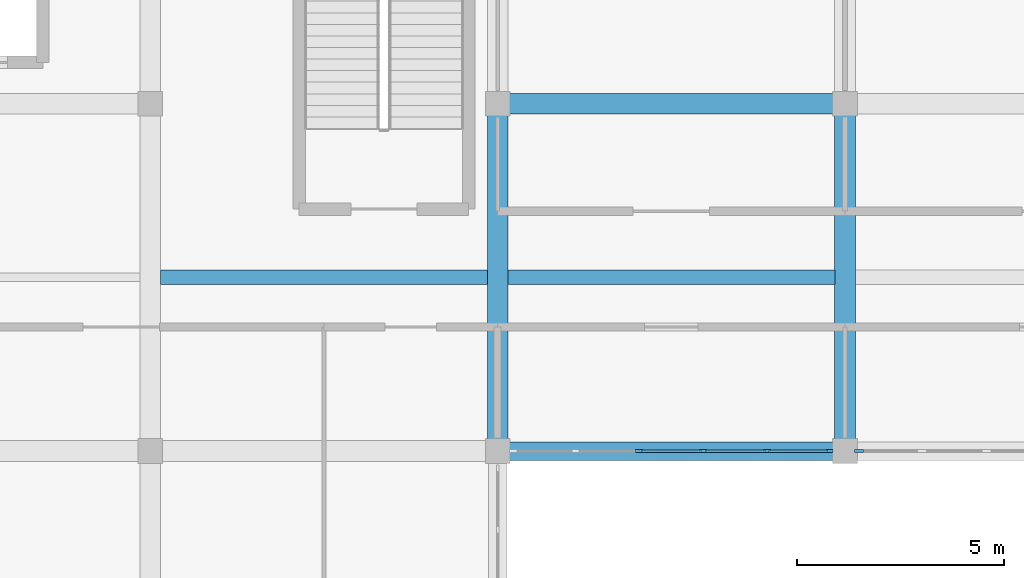
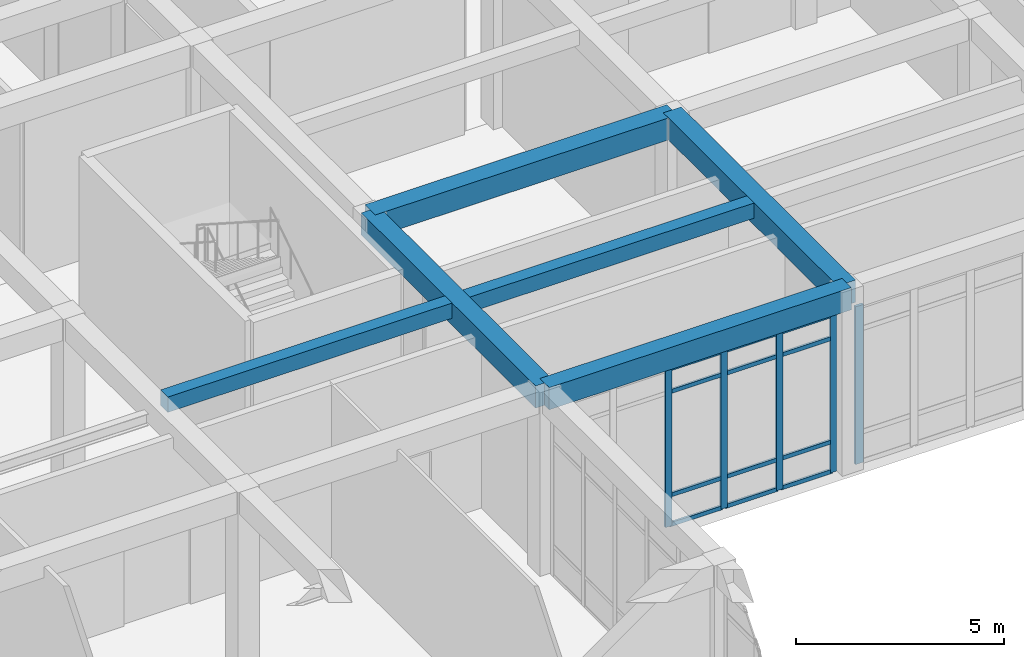
# One storey, part 26 of 89: 17 members, 6 beams, 2 elements without a shape of their own.
"""IFC4 building model written with IfcOpenShell, lengths in metres."""

from ifc_helpers import new_model, si_unit, direction, frame, origin, origin_2d, place, context, subcontext, project, spatial, rectangle, extrude, material, material_profile, profile_set, type_object, element, aggregate, save


model = new_model("IFC4")

# Units and contexts
model_context = context("Model", 3, precision=1e-05, world=origin(), true_north=direction((0.0, 1.0)))
body_context = subcontext(model_context, "Body", "Model", "MODEL_VIEW")
ifc_project = project(units=[si_unit("LENGTHUNIT", "METRE"), si_unit("AREAUNIT", "SQUARE_METRE"), si_unit("VOLUMEUNIT", "CUBIC_METRE"), si_unit("PLANEANGLEUNIT", "RADIAN"), si_unit("MASSUNIT", "GRAM", prefix="KILO")], contexts=[model_context])

# Site, building, storey
site_placement = place(None, origin())
site = spatial("IfcSite", under=ifc_project, at=site_placement, CompositionType="ELEMENT")
building_placement = place(site_placement, origin())
building = spatial("IfcBuilding", under=site, at=building_placement, Name="Varncliffe General Hospital", CompositionType="ELEMENT")
storey_placement = place(building_placement, frame((0.0, 0.0, 10.800048828125)))
storey = spatial("IfcBuildingStorey", under=building, at=storey_placement, Name="L02", CompositionType="ELEMENT", Elevation=10.800048828125)

# Beams
ifc_material_1 = material(Name="Concrete C35/45 (CSA A23.1 35 MPa)", Category="concrete")
ifc_material_profile_1 = material_profile(ifc_material_1, rectangle(XDim=0.5, YDim=0.64990234375, at=origin_2d()), Name="RC 500x650")
ifc_profile_set_1 = profile_set([ifc_material_profile_1], Name="Concrete C35/45 (CSA A23.1 35 MPa)")
beam_type_1 = type_object("IfcBeamType", Name="Beam B29 (Int RC 500x650)", PredefinedType="BEAM", material=ifc_profile_set_1)
for number, where, z_axis, x_axis, name in (
    (1, (117.60009765625, 91.199951171875, 5.074951171875), (1.0, 0.0, 0.0), (0.0, 1.0, 0.0), "L02 Primary Beam B29-125"),
    (2, (117.60009765625, 82.800048828125, 5.074951171875), (0.0, 1.0, 0.0), (-1.0, 0.0, 0.0), "L02 Primary Beam B29-395"),
    (3, (126.0, 82.800048828125, 5.074951171875), (0.0, 1.0, 0.0), (-1.0, 0.0, 0.0), "L02 Primary Beam B29-404"),
):
    element("IfcBeam", number, at=place(storey_placement, frame(where, z_axis=z_axis, x_axis=x_axis)), inside=storey, type_object=beam_type_1, Name=name, PredefinedType="BEAM", context=body_context, shape_type="SweptSolid", body=[
        extrude(rectangle(XDim=0.5, YDim=0.64990234375, at=origin_2d()), origin(), (0.0, 0.0, 1.0), 8.39990234375),
    ])

# Curtain wall, members
ifc_material_2 = material(Name="Triple low-E argon insulated vision glazing", Category="glass")
curtain_wall_type_1 = type_object("IfcCurtainWallType", Name="Unitised Glazed Curtain Wall CW70 (7724x4640)", PredefinedType="USERDEFINED", material=ifc_material_2)
curtain_wall_1_placement = place(storey_placement, origin())
curtain_wall_1 = element("IfcCurtainWall", 4, at=curtain_wall_1_placement, inside=storey, type_object=curtain_wall_type_1, Name="L02 Glazed Curtain Wall CW70-130", ObjectType="GLAZED CURTAIN WALL", PredefinedType="USERDEFINED")
ifc_material_3 = material(Name="Dark bronze thermally broken aluminium framing", Category="aluminium")
ifc_material_profile_2 = material_profile(ifc_material_3, rectangle(XDim=0.074951171875, YDim=0.179931640625, at=origin_2d()), Name="ALU 75x180")
ifc_profile_set_2 = profile_set([ifc_material_profile_2], Name="Dark bronze thermally broken aluminium framing")
member_type_1 = type_object("IfcMemberType", Name="Curtain Wall Mullion CM44 (ALU 75x180)", PredefinedType="MULLION", material=ifc_profile_set_2)
member_1_placement = place(storey_placement, frame((125.62451171875, 82.800048828125, 0.0), z_axis=(0.0, 0.0, 1.0), x_axis=(0.0, -1.0, 0.0)))
member_1 = element("IfcMember", 5, at=member_1_placement, type_object=member_type_1, Name="CW70 mullion 1", PredefinedType="MULLION", context=body_context, shape_type="SweptSolid", body=[
    extrude(rectangle(XDim=0.074951171875, YDim=0.179931640625, at=origin_2d()), origin(), (0.0, 0.0, 1.0), 4.639892578125),
])
member_2_placement = place(storey_placement, frame((124.1171875, 82.800048828125, 0.0), z_axis=(0.0, 0.0, 1.0), x_axis=(0.0, -1.0, 0.0)))
member_2 = element("IfcMember", 6, at=member_2_placement, type_object=member_type_1, Name="CW70 mullion 2", PredefinedType="MULLION", context=body_context, shape_type="SweptSolid", body=[
    extrude(rectangle(XDim=0.074951171875, YDim=0.179931640625, at=origin_2d()), origin(), (0.0, 0.0, 1.0), 4.639892578125),
])
member_3_placement = place(storey_placement, frame((122.572509765625, 82.800048828125, 0.0), z_axis=(0.0, 0.0, 1.0), x_axis=(0.0, -1.0, 0.0)))
member_3 = element("IfcMember", 7, at=member_3_placement, type_object=member_type_1, Name="CW70 mullion 3", PredefinedType="MULLION", context=body_context, shape_type="SweptSolid", body=[
    extrude(rectangle(XDim=0.074951171875, YDim=0.179931640625, at=origin_2d()), origin(), (0.0, 0.0, 1.0), 4.639892578125),
])
member_4_placement = place(storey_placement, frame((121.027587890625, 82.800048828125, 0.0), z_axis=(0.0, 0.0, 1.0), x_axis=(0.0, -1.0, 0.0)))
member_4 = element("IfcMember", 8, at=member_4_placement, type_object=member_type_1, Name="CW70 mullion 4", PredefinedType="MULLION", context=body_context, shape_type="SweptSolid", body=[
    extrude(rectangle(XDim=0.074951171875, YDim=0.179931640625, at=origin_2d()), origin(), (0.0, 0.0, 1.0), 4.639892578125),
])

# Curtain wall, member
curtain_wall_type_2 = type_object("IfcCurtainWallType", Name="Unitised Glazed Curtain Wall CW85 (7804x4640)", PredefinedType="USERDEFINED", material=ifc_material_2)
curtain_wall_2_placement = place(storey_placement, origin())
curtain_wall_2 = element("IfcCurtainWall", 9, at=curtain_wall_2_placement, inside=storey, type_object=curtain_wall_type_2, Name="L02 Glazed Curtain Wall CW85-129", ObjectType="GLAZED CURTAIN WALL", PredefinedType="USERDEFINED")
ifc_material_profile_3 = material_profile(ifc_material_3, rectangle(XDim=0.074951171875, YDim=0.219970703125, at=origin_2d()), Name="ALU 75x220")
ifc_profile_set_3 = profile_set([ifc_material_profile_3], Name="Dark bronze thermally broken aluminium framing")
member_type_2 = type_object("IfcMemberType", Name="Curtain Wall Mullion CM74 (ALU 75x220)", PredefinedType="MULLION", material=ifc_profile_set_3)
member_5_placement = place(storey_placement, frame((126.33544921875, 82.800048828125, 0.0), z_axis=(0.0, 0.0, 1.0), x_axis=(0.0, -1.0, 0.0)))
member_5 = element("IfcMember", 10, at=member_5_placement, type_object=member_type_2, Name="CW85 mullion 6", PredefinedType="MULLION", context=body_context, shape_type="SweptSolid", body=[
    extrude(rectangle(XDim=0.074951171875, YDim=0.219970703125, at=origin_2d()), origin(), (0.0, 0.0, 1.0), 4.639892578125),
])
aggregate(curtain_wall_2, [member_5])

# Member
ifc_material_profile_4 = material_profile(ifc_material_3, rectangle(XDim=0.06005859375, YDim=0.1201171875, at=origin_2d()), Name="ALU 60x120")
ifc_profile_set_4 = profile_set([ifc_material_profile_4], Name="Dark bronze thermally broken aluminium framing")
member_type_3 = type_object("IfcMemberType", Name="Curtain Wall Transom CT14 (ALU 60x120)", PredefinedType="USERDEFINED", material=ifc_profile_set_4)
member_6_placement = place(storey_placement, frame((125.5869140625, 82.800048828125, 0.030029296875), z_axis=(-1.0, 0.0, 0.0), x_axis=(0.0, -1.0, 0.0)))
member_6 = element("IfcMember", 11, at=member_6_placement, type_object=member_type_3, Name="CW70 transom 1.1", ObjectType="TRANSOM", PredefinedType="USERDEFINED", context=body_context, shape_type="SweptSolid", body=[
    extrude(rectangle(XDim=0.06005859375, YDim=0.1201171875, at=origin_2d()), origin(), (0.0, 0.0, 1.0), 1.43212890625),
])

member_7_placement = place(storey_placement, frame((125.5869140625, 82.800048828125, 0.89990234375), z_axis=(-1.0, 0.0, 0.0), x_axis=(0.0, -1.0, 0.0)))
member_7 = element("IfcMember", 12, at=member_7_placement, type_object=member_type_3, Name="CW70 transom 1.2", ObjectType="TRANSOM", PredefinedType="USERDEFINED", context=body_context, shape_type="SweptSolid", body=[
    extrude(rectangle(XDim=0.06005859375, YDim=0.1201171875, at=origin_2d()), origin(), (0.0, 0.0, 1.0), 1.43212890625),
])

member_8_placement = place(storey_placement, frame((125.5869140625, 82.800048828125, 3.93994140625), z_axis=(-1.0, 0.0, 0.0), x_axis=(0.0, -1.0, 0.0)))
member_8 = element("IfcMember", 13, at=member_8_placement, type_object=member_type_3, Name="CW70 transom 1.3", ObjectType="TRANSOM", PredefinedType="USERDEFINED", context=body_context, shape_type="SweptSolid", body=[
    extrude(rectangle(XDim=0.06005859375, YDim=0.1201171875, at=origin_2d()), origin(), (0.0, 0.0, 1.0), 1.43212890625),
])

member_9_placement = place(storey_placement, frame((125.5869140625, 82.800048828125, 4.60986328125), z_axis=(-1.0, 0.0, 0.0), x_axis=(0.0, -1.0, 0.0)))
member_9 = element("IfcMember", 14, at=member_9_placement, type_object=member_type_3, Name="CW70 transom 1.4", ObjectType="TRANSOM", PredefinedType="USERDEFINED", context=body_context, shape_type="SweptSolid", body=[
    extrude(rectangle(XDim=0.06005859375, YDim=0.1201171875, at=origin_2d()), origin(), (0.0, 0.0, 1.0), 1.43212890625),
])

member_10_placement = place(storey_placement, frame((124.07958984375, 82.800048828125, 0.030029296875), z_axis=(-1.0, 0.0, 0.0), x_axis=(0.0, -1.0, 0.0)))
member_10 = element("IfcMember", 15, at=member_10_placement, type_object=member_type_3, Name="CW70 transom 2.1", ObjectType="TRANSOM", PredefinedType="USERDEFINED", context=body_context, shape_type="SweptSolid", body=[
    extrude(rectangle(XDim=0.06005859375, YDim=0.1201171875, at=origin_2d()), origin(), (0.0, 0.0, 1.0), 1.4697265625),
])

member_11_placement = place(storey_placement, frame((124.07958984375, 82.800048828125, 0.89990234375), z_axis=(-1.0, 0.0, 0.0), x_axis=(0.0, -1.0, 0.0)))
member_11 = element("IfcMember", 16, at=member_11_placement, type_object=member_type_3, Name="CW70 transom 2.2", ObjectType="TRANSOM", PredefinedType="USERDEFINED", context=body_context, shape_type="SweptSolid", body=[
    extrude(rectangle(XDim=0.06005859375, YDim=0.1201171875, at=origin_2d()), origin(), (0.0, 0.0, 1.0), 1.4697265625),
])

member_12_placement = place(storey_placement, frame((124.07958984375, 82.800048828125, 3.93994140625), z_axis=(-1.0, 0.0, 0.0), x_axis=(0.0, -1.0, 0.0)))
member_12 = element("IfcMember", 17, at=member_12_placement, type_object=member_type_3, Name="CW70 transom 2.3", ObjectType="TRANSOM", PredefinedType="USERDEFINED", context=body_context, shape_type="SweptSolid", body=[
    extrude(rectangle(XDim=0.06005859375, YDim=0.1201171875, at=origin_2d()), origin(), (0.0, 0.0, 1.0), 1.4697265625),
])

member_13_placement = place(storey_placement, frame((124.07958984375, 82.800048828125, 4.60986328125), z_axis=(-1.0, 0.0, 0.0), x_axis=(0.0, -1.0, 0.0)))
member_13 = element("IfcMember", 18, at=member_13_placement, type_object=member_type_3, Name="CW70 transom 2.4", ObjectType="TRANSOM", PredefinedType="USERDEFINED", context=body_context, shape_type="SweptSolid", body=[
    extrude(rectangle(XDim=0.06005859375, YDim=0.1201171875, at=origin_2d()), origin(), (0.0, 0.0, 1.0), 1.4697265625),
])

member_14_placement = place(storey_placement, frame((122.534912109375, 82.800048828125, 0.030029296875), z_axis=(-1.0, 0.0, 0.0), x_axis=(0.0, -1.0, 0.0)))
member_14 = element("IfcMember", 19, at=member_14_placement, type_object=member_type_3, Name="CW70 transom 3.1", ObjectType="TRANSOM", PredefinedType="USERDEFINED", context=body_context, shape_type="SweptSolid", body=[
    extrude(rectangle(XDim=0.06005859375, YDim=0.1201171875, at=origin_2d()), origin(), (0.0, 0.0, 1.0), 1.4697265625),
])

member_15_placement = place(storey_placement, frame((122.534912109375, 82.800048828125, 0.89990234375), z_axis=(-1.0, 0.0, 0.0), x_axis=(0.0, -1.0, 0.0)))
member_15 = element("IfcMember", 20, at=member_15_placement, type_object=member_type_3, Name="CW70 transom 3.2", ObjectType="TRANSOM", PredefinedType="USERDEFINED", context=body_context, shape_type="SweptSolid", body=[
    extrude(rectangle(XDim=0.06005859375, YDim=0.1201171875, at=origin_2d()), origin(), (0.0, 0.0, 1.0), 1.4697265625),
])

member_16_placement = place(storey_placement, frame((122.534912109375, 82.800048828125, 3.93994140625), z_axis=(-1.0, 0.0, 0.0), x_axis=(0.0, -1.0, 0.0)))
member_16 = element("IfcMember", 21, at=member_16_placement, type_object=member_type_3, Name="CW70 transom 3.3", ObjectType="TRANSOM", PredefinedType="USERDEFINED", context=body_context, shape_type="SweptSolid", body=[
    extrude(rectangle(XDim=0.06005859375, YDim=0.1201171875, at=origin_2d()), origin(), (0.0, 0.0, 1.0), 1.4697265625),
])

member_17_placement = place(storey_placement, frame((122.534912109375, 82.800048828125, 4.60986328125), z_axis=(-1.0, 0.0, 0.0), x_axis=(0.0, -1.0, 0.0)))
member_17 = element("IfcMember", 22, at=member_17_placement, type_object=member_type_3, Name="CW70 transom 3.4", ObjectType="TRANSOM", PredefinedType="USERDEFINED", context=body_context, shape_type="SweptSolid", body=[
    extrude(rectangle(XDim=0.06005859375, YDim=0.1201171875, at=origin_2d()), origin(), (0.0, 0.0, 1.0), 1.4697265625),
])

aggregate(curtain_wall_1, [member_1, member_2, member_3, member_4, member_6, member_7, member_8, member_9, member_10, member_11, member_12, member_13, member_14, member_15, member_16, member_17])

# Beams
ifc_material_profile_5 = material_profile(ifc_material_1, rectangle(XDim=0.35009765625, YDim=0.449951171875, at=origin_2d()), Name="RC 350x450")
ifc_profile_set_5 = profile_set([ifc_material_profile_5], Name="Concrete C35/45 (CSA A23.1 35 MPa)")
beam_type_2 = type_object("IfcBeamType", Name="Joist J55 (Int RC 350x450)", PredefinedType="JOIST", material=ifc_profile_set_5)
for number, where, z_axis, x_axis, name in (
    (23, (109.447998046875, 87.0, 5.175048828125), (1.0, 0.0, 0.0), (0.0, 1.0, 0.0), "L02 Secondary Floor Rib J55-44"),
    (24, (117.847900390625, 87.0, 5.175048828125), (1.0, 0.0, 0.0), (0.0, 1.0, 0.0), "L02 Secondary Floor Rib J55-47"),
):
    element("IfcBeam", number, at=place(storey_placement, frame(where, z_axis=z_axis, x_axis=x_axis)), inside=storey, type_object=beam_type_2, Name=name, PredefinedType="JOIST", context=body_context, shape_type="SweptSolid", body=[
        extrude(rectangle(XDim=0.35009765625, YDim=0.449951171875, at=origin_2d()), origin(), (0.0, 0.0, 1.0), 7.904052734375),
    ])
ifc_material_profile_6 = material_profile(ifc_material_1, rectangle(XDim=0.449951171875, YDim=0.64990234375, at=origin_2d()), Name="RC 450x650")
ifc_profile_set_6 = profile_set([ifc_material_profile_6], Name="Concrete C35/45 (CSA A23.1 35 MPa)")
beam_type_3 = type_object("IfcBeamType", Name="Spandrel SP38 (Ext RC 450x650B)", PredefinedType="SPANDREL", material=ifc_profile_set_6)
beam_placement = place(storey_placement, frame((117.60009765625, 82.800048828125, 5.074951171875), z_axis=(1.0, 0.0, 0.0), x_axis=(0.0, 1.0, 0.0)))
element("IfcBeam", 25, at=beam_placement, inside=storey, type_object=beam_type_3, Name="L02 Spandrel Beam SP38-107", PredefinedType="SPANDREL", context=body_context, shape_type="SweptSolid", body=[
    extrude(rectangle(XDim=0.449951171875, YDim=0.64990234375, at=origin_2d()), origin(), (0.0, 0.0, 1.0), 8.39990234375),
])

save(model, "model.ifc")
